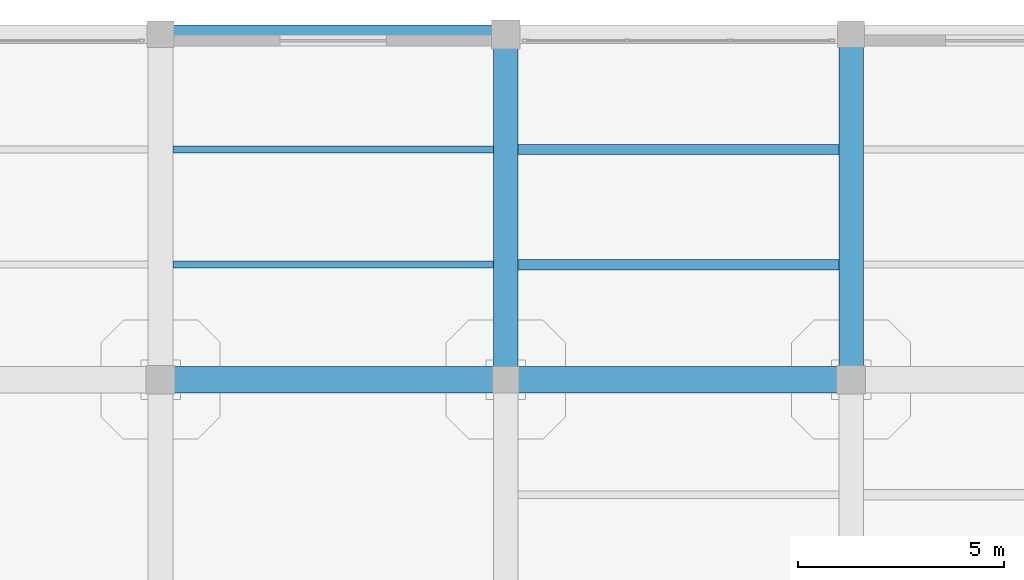
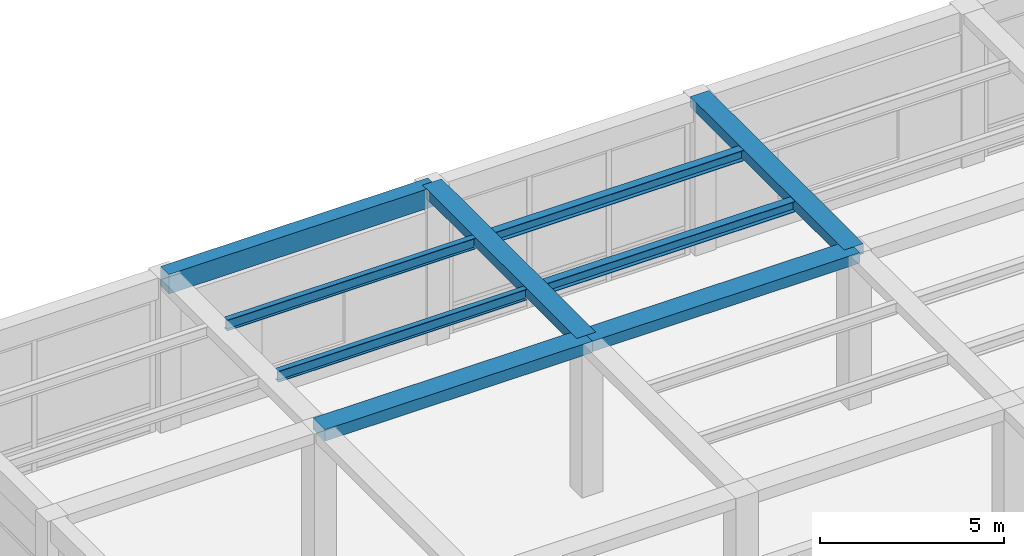
# One storey, part 36 of 95: 9 beams.
"""IFC4 building model written with IfcOpenShell, lengths in metres."""

import ifcopenshell
import ifcopenshell.guid

model = None  # the IFC model being written
_history = None  # IfcOwnerHistory: only IFC2X3 demands one
_inside = {}  # id of a spatial element -> (the spatial element, [elements in it])
_under = {}  # id of a project, library or spatial element -> (it, [spatial elements below it])
_declared = {}  # id of a project -> (the project, [libraries it declares])
_typed = {}  # id of a type object -> (the type object, [elements of that type])
_made_of = {}  # id of a material, layer set ... -> (it, [elements and type objects made of it])


def new_model(schema):
    """Start an empty IFC model of exactly this schema.

    Asked for "IFC4X3", IfcOpenShell would pick the latest addendum, in which some entities
    have other attributes; the version numbers below select the first issue.
    IFC2X3 requires an IfcOwnerHistory on every rooted entity: one is made here for all.
    """
    global model, _history
    if schema == "IFC4X3":
        model = ifcopenshell.file(schema_version=(4, 3, 0, 0))
    else:
        model = ifcopenshell.file(schema=schema)
    _inside.clear()
    _under.clear()
    _declared.clear()
    _typed.clear()
    _made_of.clear()
    _history = None
    if model.schema == "IFC2X3":
        org = make("IfcOrganization", Name="unknown")
        user = make(
            "IfcPersonAndOrganization",
            ThePerson=make("IfcPerson", FamilyName="unknown"),
            TheOrganization=org,
        )
        app = make(
            "IfcApplication",
            ApplicationDeveloper=org,
            Version="unknown",
            ApplicationFullName="unknown",
            ApplicationIdentifier="unknown",
        )
        _history = make(
            "IfcOwnerHistory",
            OwningUser=user,
            OwningApplication=app,
            ChangeAction="ADDED",
            CreationDate=0,
        )
    return model


def make(cls, **values):
    """One entity of the class cls with the attributes given. An attribute that is None is left unset."""
    return model.create_entity(
        cls, **{name: value for name, value in values.items() if value is not None}
    )


def rooted(cls, **values):
    """An entity with a GlobalId (a new one), such as an element, a storey or a relation."""
    return make(cls, GlobalId=ifcopenshell.guid.new(), OwnerHistory=_history, **values)


def si_unit(unit_type, name, prefix=None):
    """IfcSIUnit, for example si_unit("LENGTHUNIT", "METRE", prefix="MILLI")."""
    return make("IfcSIUnit", UnitType=unit_type, Prefix=prefix, Name=name)


def assignment(units):
    """IfcUnitAssignment: the units of a project."""
    return None if units is None else make("IfcUnitAssignment", Units=units)


def point(xyz):
    """IfcCartesianPoint."""
    return None if xyz is None else make("IfcCartesianPoint", Coordinates=xyz)


def direction(xyz):
    """IfcDirection."""
    return None if xyz is None else make("IfcDirection", DirectionRatios=xyz)


def frame(location, z_axis=None, x_axis=None):
    """IfcAxis2Placement3D, a coordinate frame: its origin and axes. An axis left out is left unset."""
    return make(
        "IfcAxis2Placement3D",
        Location=point(location),
        Axis=direction(z_axis),
        RefDirection=direction(x_axis),
    )


def frame_2d(location, x_axis=None):
    """IfcAxis2Placement2D, a coordinate frame in the plane: its origin and x axis."""
    return make(
        "IfcAxis2Placement2D", Location=point(location), RefDirection=direction(x_axis)
    )


def origin():
    """The frame at (0, 0, 0) with its axes left unset."""
    return frame((0.0, 0.0, 0.0))


def origin_2d():
    """The frame at (0, 0) in the plane with its x axis left unset."""
    return frame_2d((0.0, 0.0))


def place(relative_to, where):
    """IfcLocalPlacement: puts the frame where relative to a parent placement (None: the world)."""
    return make(
        "IfcLocalPlacement", PlacementRelTo=relative_to, RelativePlacement=where
    )


def context(
    kind, dimensions, precision=None, world=None, true_north=None, identifier=None
):
    """IfcGeometricRepresentationContext, for example the 3D "Model" context."""
    return make(
        "IfcGeometricRepresentationContext",
        ContextIdentifier=identifier,
        ContextType=kind,
        CoordinateSpaceDimension=dimensions,
        Precision=precision,
        WorldCoordinateSystem=world,
        TrueNorth=true_north,
    )


def subcontext(parent, identifier, kind, view, scale=None):
    """IfcGeometricRepresentationSubContext, for example "Body" below "Model"."""
    return make(
        "IfcGeometricRepresentationSubContext",
        ContextIdentifier=identifier,
        ContextType=kind,
        ParentContext=parent,
        TargetScale=scale,
        TargetView=view,
    )


def project(units=None, contexts=None):
    """IfcProject with its units and contexts."""
    return rooted(
        "IfcProject",
        Name="project",
        RepresentationContexts=contexts,
        UnitsInContext=assignment(units),
    )


def spatial(cls, under=None, at=None, **own):
    """A site, building, storey or space (cls), placed at a placement, below another one or the project."""
    s = rooted(cls, ObjectPlacement=at, **own)
    if under is not None:
        _under.setdefault(under.id(), (under, []))[1].append(s)
    return s


def profile(cls, at=None, kind="AREA", **sizes):
    """A parametric profile (cls). Its sizes go by their IFC names, for example OverallWidth=200.0."""
    return make(cls, ProfileType=kind, Position=at, **sizes)


def rectangle(**sizes):
    """IfcRectangleProfileDef."""
    return profile("IfcRectangleProfileDef", **sizes)


def i_section(**sizes):
    """IfcIShapeProfileDef."""
    return profile("IfcIShapeProfileDef", **sizes)


def extrude(swept, where, along, depth):
    """IfcExtrudedAreaSolid: the profile swept, set in the frame where, extruded along a direction by depth."""
    return make(
        "IfcExtrudedAreaSolid",
        SweptArea=swept,
        Position=where,
        ExtrudedDirection=direction(along),
        Depth=depth,
    )


def shape(context_of_items, identifier, shape_type, items):
    """IfcShapeRepresentation: the items that make up one representation, for example the "Body"."""
    return make(
        "IfcShapeRepresentation",
        ContextOfItems=context_of_items,
        RepresentationIdentifier=identifier,
        RepresentationType=shape_type,
        Items=items,
    )


def material(Name=None, Category=None):
    """IfcMaterial."""
    return make("IfcMaterial", Name=Name, Category=Category)


def material_profile(
    of_material, cross_section, Name=None, Category=None, Priority=None
):
    """IfcMaterialProfile: a cross section and its material."""
    return make(
        "IfcMaterialProfile",
        Name=Name,
        Material=of_material,
        Profile=cross_section,
        Priority=Priority,
        Category=Category,
    )


def profile_set(profiles, Name=None, composite=None):
    """IfcMaterialProfileSet."""
    return make(
        "IfcMaterialProfileSet",
        Name=Name,
        MaterialProfiles=profiles,
        CompositeProfile=composite,
    )


def made_of(thing, what):
    """Note that an element or type object is made of a material, layer set ...; save() writes the relation."""
    if what is not None:
        _made_of.setdefault(what.id(), (what, []))[1].append(thing)
    return thing


def type_object(cls, material=None, **own):
    """A type object (cls), such as IfcWallType, which elements share."""
    return made_of(rooted(cls, **own), material)


def element(
    cls,
    number,
    at=None,
    inside=None,
    cuts=None,
    type_object=None,
    material=None,
    context=None,
    identifier="Body",
    shape_type=None,
    held_by="IfcProductDefinitionShape",
    body=None,
    shapes=None,
    **own,
):
    """One element of the class cls, such as IfcWall. Its Tag is "e" and its number.

    at: its placement. inside: the storey or other place that contains it. cuts: it is an
    opening in that element (IfcRelVoidsElement). A single representation is given by context,
    identifier, shape_type and body (its items); several are given by shapes. held_by: the class
    of the entity that holds the representations. save() writes the other relations.
    """
    e = rooted(cls, Tag="e%d" % number, ObjectPlacement=at, **own)
    if body is not None:
        shapes = [shape(context, identifier, shape_type, body)]
    if shapes is not None:
        e.Representation = make(held_by, Representations=shapes)
    if inside is not None:
        _inside.setdefault(inside.id(), (inside, []))[1].append(e)
    if cuts is not None:
        rooted(
            "IfcRelVoidsElement", RelatingBuildingElement=cuts, RelatedOpeningElement=e
        )
    if type_object is not None:
        _typed.setdefault(type_object.id(), (type_object, []))[1].append(e)
    return made_of(e, material)


def aggregate(whole, parts):
    """IfcRelAggregates: a whole, such as a stair, and the parts it consists of."""
    return rooted("IfcRelAggregates", RelatingObject=whole, RelatedObjects=parts)


def save(model, path):
    """Write the relations noted so far, then the file.

    IfcRelAggregates (storeys below a building ...), IfcRelContainedInSpatialStructure (elements
    in a storey), IfcRelDefinesByType, IfcRelAssociatesMaterial and IfcRelDeclares: one each for
    every whole, place, type object, material and project.
    """
    for whole, parts in _under.values():
        aggregate(whole, parts)
    for where, things in _inside.values():
        rooted(
            "IfcRelContainedInSpatialStructure",
            RelatedElements=things,
            RelatingStructure=where,
        )
    for kind, things in _typed.values():
        rooted("IfcRelDefinesByType", RelatedObjects=things, RelatingType=kind)
    for what, things in _made_of.values():
        rooted("IfcRelAssociatesMaterial", RelatedObjects=things, RelatingMaterial=what)
    for by, libraries in _declared.values():
        rooted("IfcRelDeclares", RelatingContext=by, RelatedDefinitions=libraries)
    model.write(path)


model = new_model("IFC4")

# Units and contexts
model_context = context("Model", 3, precision=1e-05, world=origin(), true_north=direction((0.0, 1.0)))
body_context = subcontext(model_context, "Body", "Model", "MODEL_VIEW")
ifc_project = project(units=[si_unit("LENGTHUNIT", "METRE"), si_unit("AREAUNIT", "SQUARE_METRE"), si_unit("VOLUMEUNIT", "CUBIC_METRE"), si_unit("PLANEANGLEUNIT", "RADIAN"), si_unit("MASSUNIT", "GRAM", prefix="KILO")], contexts=[model_context])

# Site, building, storey
site_placement = place(None, origin())
site = spatial("IfcSite", under=ifc_project, at=site_placement, CompositionType="ELEMENT")
building_placement = place(site_placement, origin())
building = spatial("IfcBuilding", under=site, at=building_placement, Name="Almacenes y Pasaje Nevantli", CompositionType="ELEMENT")
storey_placement = place(building_placement, frame((0.0, 0.0, 11.39990234375)))
storey = spatial("IfcBuildingStorey", under=building, at=storey_placement, Name="L03", CompositionType="ELEMENT", Elevation=11.39990234375)

# Beams
ifc_material_1 = material(Name="Concrete C35/45", Category="concrete")
ifc_material_profile_1 = material_profile(ifc_material_1, rectangle(XDim=0.449951171875, YDim=0.64990234375, at=origin_2d()), Name="RC-BM-450x650")
ifc_profile_set_1 = profile_set([ifc_material_profile_1], Name="Concrete C35/45")
beam_type_1 = type_object("IfcBeamType", Name="BM-RC-450x650", PredefinedType="SPANDREL", material=ifc_profile_set_1)
beam_1_placement = place(storey_placement, frame((8.39990234375, 117.60009765625, 4.775146484375), z_axis=(1.0, 0.0, 0.0), x_axis=(0.0, 1.0, 0.0)))
element("IfcBeam", 1, at=beam_1_placement, inside=storey, type_object=beam_type_1, Name="L03 East-West Reinforced Concrete Beam #2461", PredefinedType="SPANDREL", context=body_context, shape_type="SweptSolid", body=[
    extrude(rectangle(XDim=0.449951171875, YDim=0.64990234375, at=origin_2d()), origin(), (0.0, 0.0, 1.0), 8.400146484375),
])
ifc_material_2 = material(Name="Concrete C35/45", Category="concrete")
ifc_material_profile_2 = material_profile(ifc_material_2, rectangle(XDim=0.60009765625, YDim=0.320068359375, at=origin_2d()), Name="RC-BM-600x320")
ifc_profile_set_2 = profile_set([ifc_material_profile_2], Name="Concrete C35/45")
beam_type_2 = type_object("IfcBeamType", Name="BM-RC-600x320", PredefinedType="BEAM", material=ifc_profile_set_2)
beam_2_placement = place(storey_placement, frame((16.800048828125, 109.199951171875, 4.940185546875), z_axis=(0.0, 1.0, 0.0), x_axis=(-1.0, 0.0, 0.0)))
element("IfcBeam", 2, at=beam_2_placement, inside=storey, type_object=beam_type_2, Name="L03 North-South Reinforced Concrete Beam #2510", PredefinedType="BEAM", context=body_context, shape_type="SweptSolid", body=[
    extrude(rectangle(XDim=0.60009765625, YDim=0.320068359375, at=origin_2d()), origin(), (0.0, 0.0, 1.0), 8.400146484375),
])
ifc_material_3 = material(Name="Concrete C35/45", Category="concrete")
ifc_material_profile_3 = material_profile(ifc_material_3, rectangle(XDim=0.60009765625, YDim=0.340087890625, at=origin_2d()), Name="RC-BM-600x340")
ifc_profile_set_3 = profile_set([ifc_material_profile_3], Name="Concrete C35/45")
beam_type_3 = type_object("IfcBeamType", Name="BM-RC-600x340", PredefinedType="BEAM", material=ifc_profile_set_3)
beam_3_placement = place(storey_placement, frame((25.199951171875, 109.199951171875, 4.93017578125), z_axis=(0.0, 1.0, 0.0), x_axis=(-1.0, 0.0, 0.0)))
element("IfcBeam", 3, at=beam_3_placement, inside=storey, type_object=beam_type_3, Name="L03 North-South Reinforced Concrete Beam #2523", PredefinedType="BEAM", context=body_context, shape_type="SweptSolid", body=[
    extrude(rectangle(XDim=0.60009765625, YDim=0.340087890625, at=origin_2d()), origin(), (0.0, 0.0, 1.0), 8.400146484375),
])
ifc_material_4 = material(Name="Concrete C35/45", Category="concrete")
ifc_material_profile_4 = material_profile(ifc_material_4, rectangle(XDim=0.64990234375, YDim=0.35009765625, at=origin_2d()), Name="RC-BM-650x350")
ifc_profile_set_4 = profile_set([ifc_material_profile_4], Name="Concrete C35/45")
beam_type_4 = type_object("IfcBeamType", Name="BM-RC-650x350", PredefinedType="BEAM", material=ifc_profile_set_4)
beam_4_placement = place(storey_placement, frame((16.800048828125, 109.199951171875, 4.925048828125), z_axis=(1.0, 0.0, 0.0), x_axis=(0.0, 1.0, 0.0)))
element("IfcBeam", 4, at=beam_4_placement, inside=storey, type_object=beam_type_4, Name="L03 East-West Reinforced Concrete Beam #2445", PredefinedType="BEAM", context=body_context, shape_type="SweptSolid", body=[
    extrude(rectangle(XDim=0.64990234375, YDim=0.35009765625, at=origin_2d()), origin(), (0.0, 0.0, 1.0), 8.39990234375),
])
ifc_material_5 = material(Name="Concrete C35/45", Category="concrete")
ifc_material_profile_5 = material_profile(ifc_material_5, rectangle(XDim=0.64990234375, YDim=0.3798828125, at=origin_2d()), Name="RC-BM-650x380")
ifc_profile_set_5 = profile_set([ifc_material_profile_5], Name="Concrete C35/45")
beam_type_5 = type_object("IfcBeamType", Name="BM-RC-650x380", PredefinedType="BEAM", material=ifc_profile_set_5)
beam_5_placement = place(storey_placement, frame((8.39990234375, 109.199951171875, 4.91015625), z_axis=(1.0, 0.0, 0.0), x_axis=(0.0, 1.0, 0.0)))
element("IfcBeam", 5, at=beam_5_placement, inside=storey, type_object=beam_type_5, Name="L03 East-West Reinforced Concrete Beam #2444", PredefinedType="BEAM", context=body_context, shape_type="SweptSolid", body=[
    extrude(rectangle(XDim=0.64990234375, YDim=0.3798828125, at=origin_2d()), origin(), (0.0, 0.0, 1.0), 8.400146484375),
])
ifc_material_6 = material(Name="Steel ASTM A992", Category="steel")
ifc_material_profile_6 = material_profile(ifc_material_6, i_section(OverallWidth=0.173095703125, OverallDepth=0.364013671875, WebThickness=0.009033203125, FlangeThickness=0.015625, at=origin_2d()), Name="IR 356x67.0")
ifc_profile_set_6 = profile_set([ifc_material_profile_6], Name="Steel ASTM A992")
beam_type_6 = type_object("IfcBeamType", Name="BM-STL-IR-356x67p0", PredefinedType="JOIST", material=ifc_profile_set_6)
for number, where, z_axis, x_axis, name in (
    (6, (8.699951171875, 112.0, 4.91015625), (1.0, 0.0, 0.0), (0.0, 1.0, 0.0), "L03 Secondary Steel Floor Joist #679"),
    (7, (8.699951171875, 114.800048828125, 4.91015625), (1.0, 0.0, 0.0), (0.0, 1.0, 0.0), "L03 Secondary Steel Floor Joist #680"),
):
    element("IfcBeam", number, at=place(storey_placement, frame(where, z_axis=z_axis, x_axis=x_axis)), inside=storey, type_object=beam_type_6, Name=name, PredefinedType="JOIST", context=body_context, shape_type="SweptSolid", body=[
        extrude(i_section(OverallWidth=0.173095703125, OverallDepth=0.364013671875, WebThickness=0.009033203125, FlangeThickness=0.015625, at=origin_2d()), origin(), (0.0, 0.0, 1.0), 7.800048828125),
    ])
ifc_material_7 = material(Name="Steel ASTM A992", Category="steel")
ifc_material_profile_7 = material_profile(ifc_material_7, i_section(OverallWidth=0.25390625, OverallDepth=0.35595703125, WebThickness=0.009521484375, FlangeThickness=0.016357421875, at=origin_2d()), Name="IR 356x79.0")
ifc_profile_set_7 = profile_set([ifc_material_profile_7], Name="Steel ASTM A992")
beam_type_7 = type_object("IfcBeamType", Name="BM-STL-IR-356x79p0", PredefinedType="JOIST", material=ifc_profile_set_7)
for number, where, z_axis, x_axis, name in (
    (8, (17.10009765625, 112.0, 4.9140625), (1.0, 0.0, 0.0), (0.0, 1.0, 0.0), "L03 Secondary Steel Floor Joist #695"),
    (9, (17.10009765625, 114.800048828125, 4.9140625), (1.0, 0.0, 0.0), (0.0, 1.0, 0.0), "L03 Secondary Steel Floor Joist #696"),
):
    element("IfcBeam", number, at=place(storey_placement, frame(where, z_axis=z_axis, x_axis=x_axis)), inside=storey, type_object=beam_type_7, Name=name, PredefinedType="JOIST", context=body_context, shape_type="SweptSolid", body=[
        extrude(i_section(OverallWidth=0.25390625, OverallDepth=0.35595703125, WebThickness=0.009521484375, FlangeThickness=0.016357421875, at=origin_2d()), origin(), (0.0, 0.0, 1.0), 7.7998046875),
    ])

save(model, "model.ifc")
